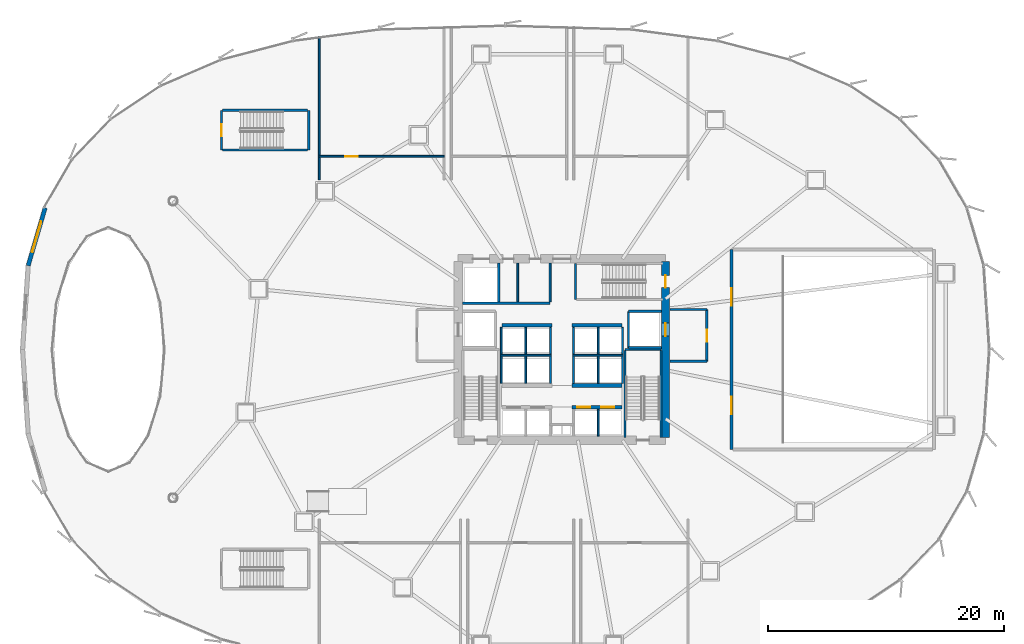
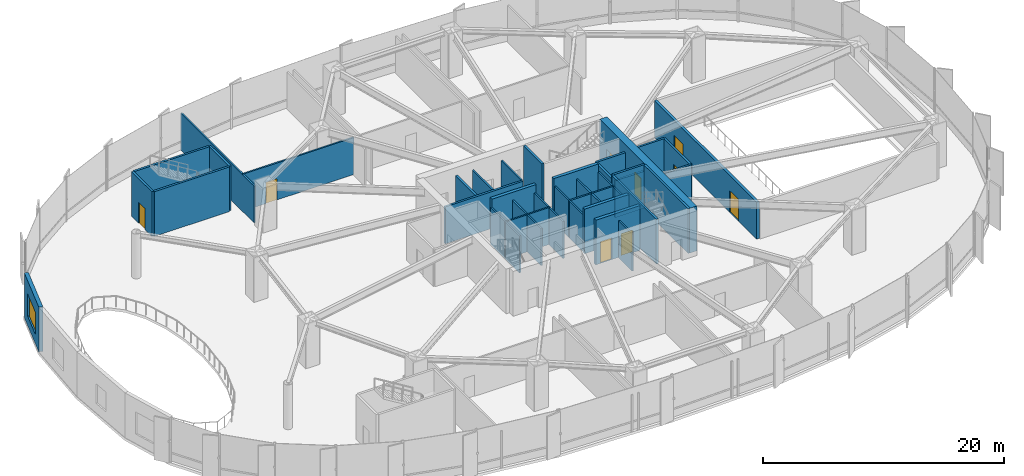
# One storey, part 25 of 34: 42 walls, 9 doors, 1 window, 10 openings.
"""IFC4 building model written with IfcOpenShell, lengths in metres."""

import ifcopenshell
import ifcopenshell.guid

model = None  # the IFC model being written
_history = None  # IfcOwnerHistory: only IFC2X3 demands one
_inside = {}  # id of a spatial element -> (the spatial element, [elements in it])
_under = {}  # id of a project, library or spatial element -> (it, [spatial elements below it])
_declared = {}  # id of a project -> (the project, [libraries it declares])
_typed = {}  # id of a type object -> (the type object, [elements of that type])
_made_of = {}  # id of a material, layer set ... -> (it, [elements and type objects made of it])


def new_model(schema):
    """Start an empty IFC model of exactly this schema.

    Asked for "IFC4X3", IfcOpenShell would pick the latest addendum, in which some entities
    have other attributes; the version numbers below select the first issue.
    IFC2X3 requires an IfcOwnerHistory on every rooted entity: one is made here for all.
    """
    global model, _history
    if schema == "IFC4X3":
        model = ifcopenshell.file(schema_version=(4, 3, 0, 0))
    else:
        model = ifcopenshell.file(schema=schema)
    _inside.clear()
    _under.clear()
    _declared.clear()
    _typed.clear()
    _made_of.clear()
    _history = None
    if model.schema == "IFC2X3":
        org = make("IfcOrganization", Name="unknown")
        user = make(
            "IfcPersonAndOrganization",
            ThePerson=make("IfcPerson", FamilyName="unknown"),
            TheOrganization=org,
        )
        app = make(
            "IfcApplication",
            ApplicationDeveloper=org,
            Version="unknown",
            ApplicationFullName="unknown",
            ApplicationIdentifier="unknown",
        )
        _history = make(
            "IfcOwnerHistory",
            OwningUser=user,
            OwningApplication=app,
            ChangeAction="ADDED",
            CreationDate=0,
        )
    return model


def make(cls, **values):
    """One entity of the class cls with the attributes given. An attribute that is None is left unset."""
    return model.create_entity(
        cls, **{name: value for name, value in values.items() if value is not None}
    )


def rooted(cls, **values):
    """An entity with a GlobalId (a new one), such as an element, a storey or a relation."""
    return make(cls, GlobalId=ifcopenshell.guid.new(), OwnerHistory=_history, **values)


def si_unit(unit_type, name, prefix=None):
    """IfcSIUnit, for example si_unit("LENGTHUNIT", "METRE", prefix="MILLI")."""
    return make("IfcSIUnit", UnitType=unit_type, Prefix=prefix, Name=name)


def assignment(units):
    """IfcUnitAssignment: the units of a project."""
    return None if units is None else make("IfcUnitAssignment", Units=units)


def point(xyz):
    """IfcCartesianPoint."""
    return None if xyz is None else make("IfcCartesianPoint", Coordinates=xyz)


def direction(xyz):
    """IfcDirection."""
    return None if xyz is None else make("IfcDirection", DirectionRatios=xyz)


def frame(location, z_axis=None, x_axis=None):
    """IfcAxis2Placement3D, a coordinate frame: its origin and axes. An axis left out is left unset."""
    return make(
        "IfcAxis2Placement3D",
        Location=point(location),
        Axis=direction(z_axis),
        RefDirection=direction(x_axis),
    )


def frame_2d(location, x_axis=None):
    """IfcAxis2Placement2D, a coordinate frame in the plane: its origin and x axis."""
    return make(
        "IfcAxis2Placement2D", Location=point(location), RefDirection=direction(x_axis)
    )


def origin():
    """The frame at (0, 0, 0) with its axes left unset."""
    return frame((0.0, 0.0, 0.0))


def place(relative_to, where):
    """IfcLocalPlacement: puts the frame where relative to a parent placement (None: the world)."""
    return make(
        "IfcLocalPlacement", PlacementRelTo=relative_to, RelativePlacement=where
    )


def context(
    kind, dimensions, precision=None, world=None, true_north=None, identifier=None
):
    """IfcGeometricRepresentationContext, for example the 3D "Model" context."""
    return make(
        "IfcGeometricRepresentationContext",
        ContextIdentifier=identifier,
        ContextType=kind,
        CoordinateSpaceDimension=dimensions,
        Precision=precision,
        WorldCoordinateSystem=world,
        TrueNorth=true_north,
    )


def subcontext(parent, identifier, kind, view, scale=None):
    """IfcGeometricRepresentationSubContext, for example "Body" below "Model"."""
    return make(
        "IfcGeometricRepresentationSubContext",
        ContextIdentifier=identifier,
        ContextType=kind,
        ParentContext=parent,
        TargetScale=scale,
        TargetView=view,
    )


def project(units=None, contexts=None):
    """IfcProject with its units and contexts."""
    return rooted(
        "IfcProject",
        Name="project",
        RepresentationContexts=contexts,
        UnitsInContext=assignment(units),
    )


def spatial(cls, under=None, at=None, **own):
    """A site, building, storey or space (cls), placed at a placement, below another one or the project."""
    s = rooted(cls, ObjectPlacement=at, **own)
    if under is not None:
        _under.setdefault(under.id(), (under, []))[1].append(s)
    return s


def profile(cls, at=None, kind="AREA", **sizes):
    """A parametric profile (cls). Its sizes go by their IFC names, for example OverallWidth=200.0."""
    return make(cls, ProfileType=kind, Position=at, **sizes)


def rectangle(**sizes):
    """IfcRectangleProfileDef."""
    return profile("IfcRectangleProfileDef", **sizes)


def extrude(swept, where, along, depth):
    """IfcExtrudedAreaSolid: the profile swept, set in the frame where, extruded along a direction by depth."""
    return make(
        "IfcExtrudedAreaSolid",
        SweptArea=swept,
        Position=where,
        ExtrudedDirection=direction(along),
        Depth=depth,
    )


def shape(context_of_items, identifier, shape_type, items):
    """IfcShapeRepresentation: the items that make up one representation, for example the "Body"."""
    return make(
        "IfcShapeRepresentation",
        ContextOfItems=context_of_items,
        RepresentationIdentifier=identifier,
        RepresentationType=shape_type,
        Items=items,
    )


def source(mapping_origin, context_of_items, identifier, shape_type, items):
    """IfcRepresentationMap: a shape defined once, which mapped items show again and again."""
    return make(
        "IfcRepresentationMap",
        MappingOrigin=mapping_origin,
        MappedRepresentation=shape(context_of_items, identifier, shape_type, items),
    )


def transform(
    local_origin,
    x_axis=None,
    y_axis=None,
    z_axis=None,
    scale=None,
    scale2=None,
    scale3=None,
    uniform=True,
):
    """IfcCartesianTransformationOperator3D, or its non-uniform kind. x_axis, y_axis, z_axis: its Axis1, 2, 3."""
    if uniform:
        return make(
            "IfcCartesianTransformationOperator3D",
            Axis1=direction(x_axis),
            Axis2=direction(y_axis),
            LocalOrigin=point(local_origin),
            Scale=scale,
            Axis3=direction(z_axis),
        )
    return make(
        "IfcCartesianTransformationOperator3DnonUniform",
        Axis1=direction(x_axis),
        Axis2=direction(y_axis),
        LocalOrigin=point(local_origin),
        Scale=scale,
        Axis3=direction(z_axis),
        Scale2=scale2,
        Scale3=scale3,
    )


def mapped(mapping_source, mapping_target):
    """IfcMappedItem: shows the shape of a source again, moved by a transform."""
    return make(
        "IfcMappedItem", MappingSource=mapping_source, MappingTarget=mapping_target
    )


def material(Name=None, Category=None):
    """IfcMaterial."""
    return make("IfcMaterial", Name=Name, Category=Category)


def layer(
    of_material, thickness, ventilated=None, Name=None, Category=None, Priority=None
):
    """IfcMaterialLayer: one layer of a wall or slab, of a material (None: an air gap)."""
    return make(
        "IfcMaterialLayer",
        Material=of_material,
        LayerThickness=thickness,
        IsVentilated=ventilated,
        Name=Name,
        Category=Category,
        Priority=Priority,
    )


def layer_set(layers, Name=None):
    """IfcMaterialLayerSet."""
    return make("IfcMaterialLayerSet", MaterialLayers=layers, LayerSetName=Name)


def made_of(thing, what):
    """Note that an element or type object is made of a material, layer set ...; save() writes the relation."""
    if what is not None:
        _made_of.setdefault(what.id(), (what, []))[1].append(thing)
    return thing


def type_object(cls, material=None, **own):
    """A type object (cls), such as IfcWallType, which elements share."""
    return made_of(rooted(cls, **own), material)


def element(
    cls,
    number,
    at=None,
    inside=None,
    cuts=None,
    type_object=None,
    material=None,
    context=None,
    identifier="Body",
    shape_type=None,
    held_by="IfcProductDefinitionShape",
    body=None,
    shapes=None,
    **own,
):
    """One element of the class cls, such as IfcWall. Its Tag is "e" and its number.

    at: its placement. inside: the storey or other place that contains it. cuts: it is an
    opening in that element (IfcRelVoidsElement). A single representation is given by context,
    identifier, shape_type and body (its items); several are given by shapes. held_by: the class
    of the entity that holds the representations. save() writes the other relations.
    """
    e = rooted(cls, Tag="e%d" % number, ObjectPlacement=at, **own)
    if body is not None:
        shapes = [shape(context, identifier, shape_type, body)]
    if shapes is not None:
        e.Representation = make(held_by, Representations=shapes)
    if inside is not None:
        _inside.setdefault(inside.id(), (inside, []))[1].append(e)
    if cuts is not None:
        rooted(
            "IfcRelVoidsElement", RelatingBuildingElement=cuts, RelatedOpeningElement=e
        )
    if type_object is not None:
        _typed.setdefault(type_object.id(), (type_object, []))[1].append(e)
    return made_of(e, material)


def fill(opening, filler):
    """IfcRelFillsElement: the door or window that sits in an opening."""
    return rooted(
        "IfcRelFillsElement",
        RelatingOpeningElement=opening,
        RelatedBuildingElement=filler,
    )


def aggregate(whole, parts):
    """IfcRelAggregates: a whole, such as a stair, and the parts it consists of."""
    return rooted("IfcRelAggregates", RelatingObject=whole, RelatedObjects=parts)


def save(model, path):
    """Write the relations noted so far, then the file.

    IfcRelAggregates (storeys below a building ...), IfcRelContainedInSpatialStructure (elements
    in a storey), IfcRelDefinesByType, IfcRelAssociatesMaterial and IfcRelDeclares: one each for
    every whole, place, type object, material and project.
    """
    for whole, parts in _under.values():
        aggregate(whole, parts)
    for where, things in _inside.values():
        rooted(
            "IfcRelContainedInSpatialStructure",
            RelatedElements=things,
            RelatingStructure=where,
        )
    for kind, things in _typed.values():
        rooted("IfcRelDefinesByType", RelatedObjects=things, RelatingType=kind)
    for what, things in _made_of.values():
        rooted("IfcRelAssociatesMaterial", RelatedObjects=things, RelatingMaterial=what)
    for by, libraries in _declared.values():
        rooted("IfcRelDeclares", RelatingContext=by, RelatedDefinitions=libraries)
    model.write(path)


model = new_model("IFC4")

# Units and contexts
model_context = context("Model", 3, precision=1e-05, world=origin(), true_north=direction((0.0, 1.0)))
body_context = subcontext(model_context, "Body", "Model", "MODEL_VIEW")
ifc_project = project(units=[si_unit("LENGTHUNIT", "METRE"), si_unit("AREAUNIT", "SQUARE_METRE"), si_unit("VOLUMEUNIT", "CUBIC_METRE"), si_unit("PLANEANGLEUNIT", "RADIAN"), si_unit("MASSUNIT", "GRAM", prefix="KILO"), si_unit("THERMODYNAMICTEMPERATUREUNIT", "KELVIN")], contexts=[model_context])

# Site, building, storey
site_placement = place(None, origin())
site = spatial("IfcSite", under=ifc_project, at=site_placement, CompositionType="ELEMENT")
building_placement = place(site_placement, origin())
building = spatial("IfcBuilding", under=site, at=building_placement, Name="Kethvar Cultural Tower", CompositionType="ELEMENT")
storey_placement = place(building_placement, frame((0.0, 0.0, 14.800048828125)))
storey = spatial("IfcBuildingStorey", under=building, at=storey_placement, Name="L03", CompositionType="ELEMENT", Elevation=14.800048828125)

# Wall, openings, doors
ifc_material_1 = material(Name="Concrete C60/75", Category="concrete")
ifc_layer_1 = layer(ifc_material_1, 0.699951171875, Name="Concrete C60/75", Category="concrete")
ifc_layer_set_1 = layer_set([ifc_layer_1], Name="Concrete C60/75 (700 mm)")
wall_type_1 = type_object("IfcWallType", Name="WL-CORE-700", PredefinedType="SHEAR", material=ifc_layer_set_1)
wall_1_placement = place(storey_placement, frame((55.60009765625, 20.340087890625, 0.0), z_axis=(0.0, 0.0, 1.0), x_axis=(0.0, 1.0, 0.0)))
wall_1 = element("IfcWall", 1, at=wall_1_placement, inside=storey, type_object=wall_type_1, Name="L03 Core Shear Wall E", PredefinedType="SHEAR", context=body_context, shape_type="SweptSolid", body=[
    extrude(rectangle(XDim=14.919921875, YDim=0.699951171875, at=frame_2d((7.4599609375, 0.0))), origin(), (0.0, 0.0, 1.0), 4.530029296875),
])
opening_1_placement = place(wall_1_placement, frame((12.7099609375, 0.0, 0.0)))
opening_1 = element("IfcOpeningElement", 2, at=opening_1_placement, cuts=wall_1, Name="Opening D-L03-S3", PredefinedType="OPENING", context=body_context, shape_type="SweptSolid", body=[
    extrude(rectangle(XDim=1.050048828125, YDim=2.14990234375, at=frame_2d((0.52490234375, 1.074951171875))), frame((0.0, 0.35986328125, 0.0), z_axis=(0.0, -1.0, 0.0), x_axis=(1.0, 0.0, 0.0)), (0.0, 0.0, 1.0), 0.719970703125),
])
opening_2_placement = place(wall_1_placement, frame((8.610107421875, 0.0, 0.0)))
opening_2 = element("IfcOpeningElement", 3, at=opening_2_placement, cuts=wall_1, Name="Opening LD-2", PredefinedType="OPENING", context=body_context, shape_type="SweptSolid", body=[
    extrude(rectangle(XDim=1.10009765625, YDim=2.199951171875, at=frame_2d((0.550048828125, 1.10009765625))), frame((0.0, 0.35986328125, 0.0), z_axis=(0.0, -1.0, 0.0), x_axis=(1.0, 0.0, 0.0)), (0.0, 0.0, 1.0), 0.719970703125),
])
ifc_material_2 = material(Name="Steel S355J2", Category="steel")
door_type_1 = type_object("IfcDoorType", Name="DR-FD60-1050", OperationType="NOTDEFINED", PredefinedType="DOOR", material=ifc_material_2)
shared_shape_1 = source(origin(), body_context, "Body", "SweptSolid", [
    extrude(rectangle(XDim=1.050048828125, YDim=2.14990234375, at=frame_2d((0.52490234375, 1.074951171875))), frame((0.0, 0.02490234375, 0.0), z_axis=(0.0, -1.0, 0.0), x_axis=(1.0, 0.0, 0.0)), (0.0, 0.0, 1.0), 0.050048828125),
])
door_1_placement = place(opening_1_placement, origin())
door_1 = element("IfcDoor", 4, at=door_1_placement, inside=storey, type_object=door_type_1, Name="L03 Exit Stair 3 Door", OperationType="SINGLE_SWING_LEFT", OverallHeight=2.14990234375, OverallWidth=1.050048828125, PredefinedType="DOOR", context=body_context, shape_type="MappedRepresentation", body=[
    mapped(shared_shape_1, transform((0.0, 0.0, 0.0), scale=1.0)),
])
fill(opening_1, door_1)
door_type_2 = type_object("IfcDoorType", Name="DR-LIFT-SLIDE-1100", OperationType="NOTDEFINED", PredefinedType="DOOR", material=ifc_material_2)
shared_shape_2 = source(origin(), body_context, "Body", "SweptSolid", [
    extrude(rectangle(XDim=1.10009765625, YDim=2.199951171875, at=frame_2d((0.550048828125, 1.10009765625))), frame((0.0, 0.02490234375, 0.0), z_axis=(0.0, -1.0, 0.0), x_axis=(1.0, 0.0, 0.0)), (0.0, 0.0, 1.0), 0.050048828125),
])
door_2_placement = place(opening_2_placement, origin())
door_2 = element("IfcDoor", 5, at=door_2_placement, inside=storey, type_object=door_type_2, Name="L03 Firefighting Lift Landing Door FFL-02", OperationType="SLIDING_TO_RIGHT", OverallHeight=2.199951171875, OverallWidth=1.10009765625, PredefinedType="DOOR", context=body_context, shape_type="MappedRepresentation", body=[
    mapped(shared_shape_2, transform((0.0, 0.0, 0.0), scale=1.0)),
])
fill(opening_2, door_2)

# Wall, opening, window
ifc_material_3 = material(Name="Concrete C40/50", Category="concrete")
ifc_layer_2 = layer(ifc_material_3, 0.35009765625, Name="Concrete C40/50", Category="concrete")
ifc_layer_set_2 = layer_set([ifc_layer_2], Name="Concrete C40/50 (350 mm)")
wall_type_2 = type_object("IfcWallType", Name="WL-EXT-PORTAL-350", PredefinedType="SOLIDWALL", material=ifc_layer_set_2)
wall_2_placement = place(storey_placement, frame((1.493408203125, 34.91650390625, 0.0), z_axis=(0.0, 0.0, 1.0), x_axis=(0.281735210535, 0.959492194416, 0.0)))
wall_2 = element("IfcWall", 6, at=wall_2_placement, inside=storey, type_object=wall_type_2, Name="L03 Exterior Portal Wall 17", PredefinedType="SOLIDWALL", context=body_context, shape_type="SweptSolid", body=[
    extrude(rectangle(XDim=5.12060546875, YDim=0.35009765625, at=frame_2d((2.560302734375, 0.0))), origin(), (0.0, 0.0, 1.0), 4.530029296875),
])
opening_3_placement = place(wall_2_placement, frame((1.210205078125, 0.0, 0.949951171875)))
opening_3 = element("IfcOpeningElement", 7, at=opening_3_placement, cuts=wall_2, Name="Opening W-01", PredefinedType="OPENING", context=body_context, shape_type="SweptSolid", body=[
    extrude(rectangle(XDim=2.699951171875, YDim=2.25, at=frame_2d((1.35009765625, 1.125))), frame((0.0, 0.18505859375, 0.0), z_axis=(0.0, -1.0, 0.0), x_axis=(1.0, 0.0, 0.0)), (0.0, 0.0, 1.0), 0.3701171875),
])
ifc_material_4 = material(Name="Insulated Low-E Solar Glass", Category="glass")
window_type = type_object("IfcWindowType", Name="WN-POD-2700", PartitioningType="SINGLE_PANEL", PredefinedType="WINDOW", material=ifc_material_4)
shared_shape_3 = source(origin(), body_context, "Body", "SweptSolid", [
    extrude(rectangle(XDim=2.699951171875, YDim=2.25, at=frame_2d((1.35009765625, 1.125))), frame((0.0, 0.030029296875, 0.0), z_axis=(0.0, -1.0, 0.0), x_axis=(1.0, 0.0, 0.0)), (0.0, 0.0, 1.0), 0.06005859375),
])
window_placement = place(opening_3_placement, origin())
window = element("IfcWindow", 8, at=window_placement, inside=storey, type_object=window_type, Name="L03 Podium Window C16", OverallHeight=2.25, OverallWidth=2.699951171875, PartitioningType="SINGLE_PANEL", PredefinedType="WINDOW", context=body_context, shape_type="MappedRepresentation", body=[
    mapped(shared_shape_3, transform((0.0, 0.0, 0.0), scale=1.0)),
])
fill(opening_3, window)

# Walls
ifc_material_5 = material(Name="Gypsum Fireboard Partition")
ifc_layer_3 = layer(ifc_material_5, 0.14990234375, Name="Gypsum Fireboard Partition")
ifc_layer_set_3 = layer_set([ifc_layer_3], Name="Gypsum Fireboard Partition (150 mm)")
wall_type_3 = type_object("IfcWallType", Name="WL-FIRE-150", PredefinedType="PARTITIONING", material=ifc_layer_set_3)
wall_3_placement = place(storey_placement, frame((49.875, 20.4599609375, 0.0), z_axis=(0.0, 0.0, 1.0), x_axis=(0.0, 1.0, 0.0)))
element("IfcWall", 9, at=wall_3_placement, inside=storey, type_object=wall_type_3, Name="L03 Low-Rise Lift Shaft Divider E", PredefinedType="PARTITIONING", context=body_context, shape_type="SweptSolid", body=[
    extrude(rectangle(XDim=2.27001953125, YDim=0.14990234375, at=frame_2d((1.135009765625, 0.0))), origin(), (0.0, 0.0, 1.0), 3.742919921875),
])
wall_4_placement = place(storey_placement, frame((41.580078125, 27.324951171875, 0.0), z_axis=(0.0, 0.0, 1.0), x_axis=(1.0, 0.0, 0.0)))
element("IfcWall", 10, at=wall_4_placement, inside=storey, type_object=wall_type_3, Name="L03 Mid-High Lift Shaft Back Wall W", PredefinedType="PARTITIONING", context=body_context, shape_type="SweptSolid", body=[
    extrude(rectangle(XDim=4.31982421875, YDim=0.14990234375, at=frame_2d((2.159912109375, 0.0))), origin(), (0.0, 0.0, 1.0), 3.742919921875),
])
wall_5_placement = place(storey_placement, frame((47.699951171875, 27.324951171875, 0.0), z_axis=(0.0, 0.0, 1.0), x_axis=(1.0, 0.0, 0.0)))
element("IfcWall", 11, at=wall_5_placement, inside=storey, type_object=wall_type_3, Name="L03 Mid-High Lift Shaft Back Wall E", PredefinedType="PARTITIONING", context=body_context, shape_type="SweptSolid", body=[
    extrude(rectangle(XDim=4.320068359375, YDim=0.14990234375, at=frame_2d((2.16015625, 0.0))), origin(), (0.0, 0.0, 1.0), 3.742919921875),
])
for number, where, z_axis, x_axis, name in (
    (12, (41.64990234375, 24.919921875, 0.0), (0.0, 0.0, 1.0), (0.0, 1.0, 0.0), "L03 Mid-Rise Lift Shaft Outer Wall W"),
    (13, (43.72509765625, 24.919921875, 0.0), (0.0, 0.0, 1.0), (0.0, 1.0, 0.0), "L03 Mid-Rise Lift Shaft Divider W"),
    (14, (45.824951171875, 24.919921875, 0.0), (0.0, 0.0, 1.0), (0.0, 1.0, 0.0), "L03 Mid-Rise Lift Shaft Concourse Wall W"),
    (15, (47.77490234375, 24.919921875, 0.0), (0.0, 0.0, 1.0), (0.0, 1.0, 0.0), "L03 Mid-Rise Lift Shaft Concourse Wall E"),
    (16, (49.875, 24.919921875, 0.0), (0.0, 0.0, 1.0), (0.0, 1.0, 0.0), "L03 Mid-Rise Lift Shaft Divider E"),
    (17, (51.949951171875, 24.919921875, 0.0), (0.0, 0.0, 1.0), (0.0, 1.0, 0.0), "L03 Mid-Rise Lift Shaft Outer Wall E"),
):
    element("IfcWall", number, at=place(storey_placement, frame(where, z_axis=z_axis, x_axis=x_axis)), inside=storey, type_object=wall_type_3, Name=name, PredefinedType="PARTITIONING", context=body_context, shape_type="SweptSolid", body=[
        extrude(rectangle(XDim=2.320068359375, YDim=0.14990234375, at=frame_2d((1.16015625, 0.0))), origin(), (0.0, 0.0, 1.0), 3.742919921875),
    ])
for number, where, z_axis, x_axis, name in (
    (18, (41.64990234375, 27.409912109375, 0.0), (0.0, 0.0, 1.0), (0.0, 1.0, 0.0), "L03 High-Rise Lift Shaft Outer Wall W"),
    (19, (43.72509765625, 27.409912109375, 0.0), (0.0, 0.0, 1.0), (0.0, 1.0, 0.0), "L03 High-Rise Lift Shaft Divider W"),
    (20, (45.824951171875, 27.409912109375, 0.0), (0.0, 0.0, 1.0), (0.0, 1.0, 0.0), "L03 High-Rise Lift Shaft Concourse Wall W"),
    (21, (47.77490234375, 27.409912109375, 0.0), (0.0, 0.0, 1.0), (0.0, 1.0, 0.0), "L03 High-Rise Lift Shaft Concourse Wall E"),
    (22, (49.875, 27.409912109375, 0.0), (0.0, 0.0, 1.0), (0.0, 1.0, 0.0), "L03 High-Rise Lift Shaft Divider E"),
    (23, (51.949951171875, 27.409912109375, 0.0), (0.0, 0.0, 1.0), (0.0, 1.0, 0.0), "L03 High-Rise Lift Shaft Outer Wall E"),
):
    element("IfcWall", number, at=place(storey_placement, frame(where, z_axis=z_axis, x_axis=x_axis)), inside=storey, type_object=wall_type_3, Name=name, PredefinedType="PARTITIONING", context=body_context, shape_type="SweptSolid", body=[
        extrude(rectangle(XDim=2.27001953125, YDim=0.14990234375, at=frame_2d((1.135009765625, 0.0))), origin(), (0.0, 0.0, 1.0), 3.742919921875),
    ])
wall_6_placement = place(storey_placement, frame((45.800048828125, 31.85009765625, 0.0), z_axis=(0.0, 0.0, 1.0), x_axis=(0.0, 1.0, 0.0)))
element("IfcWall", 24, at=wall_6_placement, inside=storey, type_object=wall_type_3, Name="L03 Sanitary Spine Wall", PredefinedType="PARTITIONING", context=body_context, shape_type="SweptSolid", body=[
    extrude(rectangle(XDim=3.289794921875, YDim=0.14990234375, at=frame_2d((1.64501953125, 0.0))), origin(), (0.0, 0.0, 1.0), 3.742919921875),
])

# Wall, opening, door
wall_7_placement = place(storey_placement, frame((26.199951171875, 44.199951171875, 0.0), z_axis=(0.0, 0.0, 1.0), x_axis=(1.0, 0.0, 0.0)))
wall_7 = element("IfcWall", 25, at=wall_7_placement, inside=storey, type_object=wall_type_3, Name="L03 Upper Atrium Tea Pantry Wall", PredefinedType="PARTITIONING", context=body_context, shape_type="SweptSolid", body=[
    extrude(rectangle(XDim=10.60009765625, YDim=0.14990234375, at=frame_2d((5.300048828125, 0.0))), origin(), (0.0, 0.0, 1.0), 3.742919921875),
])
opening_4_placement = place(wall_7_placement, frame((2.199951171875, 0.0, 0.0)))
opening_4 = element("IfcOpeningElement", 26, at=opening_4_placement, cuts=wall_7, Name="Opening D-L03-P4", PredefinedType="OPENING", context=body_context, shape_type="SweptSolid", body=[
    extrude(rectangle(XDim=1.050048828125, YDim=2.14990234375, at=frame_2d((0.52490234375, 1.074951171875))), frame((0.0, 0.0849609375, 0.0), z_axis=(0.0, -1.0, 0.0), x_axis=(1.0, 0.0, 0.0)), (0.0, 0.0, 1.0), 0.169921875),
])
door_3_placement = place(opening_4_placement, origin())
door_3 = element("IfcDoor", 27, at=door_3_placement, inside=storey, type_object=door_type_1, Name="L03 Upper Atrium Tea Pantry Door", OperationType="SINGLE_SWING_LEFT", OverallHeight=2.14990234375, OverallWidth=1.050048828125, PredefinedType="DOOR", context=body_context, shape_type="MappedRepresentation", body=[
    mapped(shared_shape_1, transform((0.0, 0.0, 0.0), scale=1.0)),
])
fill(opening_4, door_3)

# Walls
ifc_layer_4 = layer(ifc_material_3, 0.199951171875, Name="Concrete C40/50", Category="concrete")
ifc_layer_set_4 = layer_set([ifc_layer_4], Name="Concrete C40/50 (200 mm)")
wall_type_4 = type_object("IfcWallType", Name="WL-FIRE-200", PredefinedType="PARTITIONING", material=ifc_layer_set_4)
wall_8_placement = place(storey_placement, frame((52.449951171875, 27.949951171875, 0.0), z_axis=(0.0, 0.0, 1.0), x_axis=(0.0, 1.0, 0.0)))
element("IfcWall", 28, at=wall_8_placement, inside=storey, type_object=wall_type_4, Name="L03 FFL-02 Shaft Inner Wall", PredefinedType="PARTITIONING", context=body_context, shape_type="SweptSolid", body=[
    extrude(rectangle(XDim=3.10009765625, YDim=0.199951171875, at=frame_2d((1.550048828125, 0.0))), origin(), (0.0, 0.0, 1.0), 3.742919921875),
])
for number, where, z_axis, x_axis, name in (
    (29, (52.449951171875, 27.949951171875, 0.0), (0.0, 0.0, 1.0), (1.0, 0.0, 0.0), "L03 FFL-02 Shaft South Wall"),
    (30, (52.449951171875, 31.050048828125, 0.0), (0.0, 0.0, 1.0), (1.0, 0.0, 0.0), "L03 FFL-02 Shaft North Wall"),
):
    element("IfcWall", number, at=place(storey_placement, frame(where, z_axis=z_axis, x_axis=x_axis)), inside=storey, type_object=wall_type_4, Name=name, PredefinedType="PARTITIONING", context=body_context, shape_type="SweptSolid", body=[
        extrude(rectangle(XDim=2.7900390625, YDim=0.199951171875, at=frame_2d((1.39501953125, 0.0))), origin(), (0.0, 0.0, 1.0), 3.742919921875),
    ])

# Wall, opening, door
wall_9_placement = place(storey_placement, frame((59.10009765625, 26.800048828125, 0.0), z_axis=(0.0, 0.0, 1.0), x_axis=(0.0, 1.0, 0.0)))
wall_9 = element("IfcWall", 31, at=wall_9_placement, inside=storey, type_object=wall_type_4, Name="L03 Firefighting Lobby 2 Wall", PredefinedType="PARTITIONING", context=body_context, shape_type="SweptSolid", body=[
    extrude(rectangle(XDim=4.39990234375, YDim=0.199951171875, at=frame_2d((2.199951171875, 0.0))), origin(), (0.0, 0.0, 1.0), 3.742919921875),
])
opening_5_placement = place(wall_9_placement, frame((1.64990234375, 0.0, 0.0)))
opening_5 = element("IfcOpeningElement", 32, at=opening_5_placement, cuts=wall_9, Name="Opening D-L03-F2", PredefinedType="OPENING", context=body_context, shape_type="SweptSolid", body=[
    extrude(rectangle(XDim=1.050048828125, YDim=2.14990234375, at=frame_2d((0.52490234375, 1.074951171875))), frame((0.0, 0.10986328125, 0.0), z_axis=(0.0, -1.0, 0.0), x_axis=(1.0, 0.0, 0.0)), (0.0, 0.0, 1.0), 0.219970703125),
])
door_4_placement = place(opening_5_placement, origin())
door_4 = element("IfcDoor", 33, at=door_4_placement, inside=storey, type_object=door_type_1, Name="L03 Firefighting Lobby 2 Fire Door", OperationType="SINGLE_SWING_LEFT", OverallHeight=2.14990234375, OverallWidth=1.050048828125, PredefinedType="DOOR", context=body_context, shape_type="MappedRepresentation", body=[
    mapped(shared_shape_1, transform((0.0, 0.0, 0.0), scale=1.0)),
])
fill(opening_5, door_4)

# Walls
for number, where, z_axis, x_axis, name in (
    (34, (55.9599609375, 26.800048828125, 0.0), (0.0, 0.0, 1.0), (1.0, 0.0, 0.0), "L03 FF Lobby 2 South Wall"),
    (35, (55.9599609375, 31.199951171875, 0.0), (0.0, 0.0, 1.0), (1.0, 0.0, 0.0), "L03 FF Lobby 2 North Wall"),
):
    element("IfcWall", number, at=place(storey_placement, frame(where, z_axis=z_axis, x_axis=x_axis)), inside=storey, type_object=wall_type_4, Name=name, PredefinedType="PARTITIONING", context=body_context, shape_type="SweptSolid", body=[
        extrude(rectangle(XDim=3.14013671875, YDim=0.199951171875, at=frame_2d((1.570068359375, 0.0))), origin(), (0.0, 0.0, 1.0), 3.742919921875),
    ])
wall_10_placement = place(storey_placement, frame((41.449951171875, 31.85009765625, 0.0), z_axis=(0.0, 0.0, 1.0), x_axis=(0.0, 1.0, 0.0)))
element("IfcWall", 36, at=wall_10_placement, inside=storey, type_object=wall_type_4, Name="L03 NW Core Pocket Wall", PredefinedType="PARTITIONING", context=body_context, shape_type="SweptSolid", body=[
    extrude(rectangle(XDim=3.289794921875, YDim=0.199951171875, at=frame_2d((1.64501953125, 0.0))), origin(), (0.0, 0.0, 1.0), 3.742919921875),
])
wall_11_placement = place(storey_placement, frame((38.360107421875, 31.72998046875, 0.0), z_axis=(0.0, 0.0, 1.0), x_axis=(1.0, 0.0, 0.0)))
element("IfcWall", 37, at=wall_11_placement, inside=storey, type_object=wall_type_4, Name="L03 North Core Sanitary South Wall", PredefinedType="PARTITIONING", context=body_context, shape_type="SweptSolid", body=[
    extrude(rectangle(XDim=7.43994140625, YDim=0.199951171875, at=frame_2d((3.719970703125, 0.0))), origin(), (0.0, 0.0, 1.0), 3.742919921875),
])
ifc_material_6 = material(Name="Gypsum Acoustic Partition")
ifc_layer_5 = layer(ifc_material_6, 0.14990234375, Name="Gypsum Acoustic Partition")
ifc_layer_set_5 = layer_set([ifc_layer_5], Name="Gypsum Acoustic Partition (150 mm)")
wall_type_5 = type_object("IfcWallType", Name="WL-PART-150", PredefinedType="PARTITIONING", material=ifc_layer_set_5)
wall_12_placement = place(storey_placement, frame((26.199951171875, 42.199951171875, 0.0), z_axis=(0.0, 0.0, 1.0), x_axis=(0.0, 1.0, 0.0)))
element("IfcWall", 38, at=wall_12_placement, inside=storey, type_object=wall_type_5, Name="L03 Upper Atrium Tea Pantry Side Wall L", PredefinedType="PARTITIONING", context=body_context, shape_type="SweptSolid", body=[
    extrude(rectangle(XDim=12.20703125, YDim=0.14990234375, at=frame_2d((6.103515625, 0.0))), origin(), (0.0, 0.0, 1.0), 3.742919921875),
])
ifc_material_7 = material(Name="Moisture-Resistant Sanitary Chase Wall")
ifc_layer_6 = layer(ifc_material_7, 0.14990234375, Name="Moisture-Resistant Sanitary Chase Wall")
ifc_layer_set_6 = layer_set([ifc_layer_6], Name="Moisture-Resistant Sanitary Chase Wall (150 mm)")
wall_type_6 = type_object("IfcWallType", Name="WL-PLUMB-150", PredefinedType="PLUMBINGWALL", material=ifc_layer_set_6)
wall_13_placement = place(storey_placement, frame((43.050048828125, 31.85009765625, 0.0), z_axis=(0.0, 0.0, 1.0), x_axis=(0.0, 1.0, 0.0)))
element("IfcWall", 39, at=wall_13_placement, inside=storey, type_object=wall_type_6, Name="L03 Sanitary Plumbing Wall", PredefinedType="PLUMBINGWALL", context=body_context, shape_type="SweptSolid", body=[
    extrude(rectangle(XDim=3.289794921875, YDim=0.14990234375, at=frame_2d((1.64501953125, 0.0))), origin(), (0.0, 0.0, 1.0), 3.742919921875),
])

# Wall, openings, doors
ifc_material_8 = material(Name="Concrete C50/60", Category="concrete")
ifc_layer_7 = layer(ifc_material_8, 0.300048828125, Name="Concrete C50/60", Category="concrete")
ifc_layer_set_7 = layer_set([ifc_layer_7], Name="Concrete C50/60 (300 mm)")
wall_type_7 = type_object("IfcWallType", Name="WL-SHAFT-300", PredefinedType="SHEAR", material=ifc_layer_set_7)
wall_14_placement = place(storey_placement, frame((47.64990234375, 22.89990234375, 0.0), z_axis=(0.0, 0.0, 1.0), x_axis=(1.0, 0.0, 0.0)))
wall_14 = element("IfcWall", 40, at=wall_14_placement, inside=storey, type_object=wall_type_7, Name="L03 Core Lift Spine Wall MID1E", PredefinedType="SHEAR", context=body_context, shape_type="SweptSolid", body=[
    extrude(rectangle(XDim=4.25, YDim=0.300048828125, at=frame_2d((2.125, 0.0))), origin(), (0.0, 0.0, 1.0), 4.530029296875),
])
opening_6_placement = place(wall_14_placement, frame((0.449951171875, 0.0, 0.0)))
opening_6 = element("IfcOpeningElement", 41, at=opening_6_placement, cuts=wall_14, Name="Opening LD-L3", PredefinedType="OPENING", context=body_context, shape_type="SweptSolid", body=[
    extrude(rectangle(XDim=1.10009765625, YDim=2.199951171875, at=frame_2d((0.550048828125, 1.10009765625))), frame((0.0, 0.159912109375, 0.0), z_axis=(0.0, -1.0, 0.0), x_axis=(1.0, 0.0, 0.0)), (0.0, 0.0, 1.0), 0.320068359375),
])
opening_7_placement = place(wall_14_placement, frame((2.5, 0.0, 0.0)))
opening_7 = element("IfcOpeningElement", 42, at=opening_7_placement, cuts=wall_14, Name="Opening LD-L4", PredefinedType="OPENING", context=body_context, shape_type="SweptSolid", body=[
    extrude(rectangle(XDim=1.10009765625, YDim=2.199951171875, at=frame_2d((0.550048828125, 1.10009765625))), frame((0.0, 0.159912109375, 0.0), z_axis=(0.0, -1.0, 0.0), x_axis=(1.0, 0.0, 0.0)), (0.0, 0.0, 1.0), 0.320068359375),
])
door_5_placement = place(opening_6_placement, origin())
door_5 = element("IfcDoor", 43, at=door_5_placement, inside=storey, type_object=door_type_2, Name="L03 Low-Rise Lift Landing Door L3", OperationType="SLIDING_TO_LEFT", OverallHeight=2.199951171875, OverallWidth=1.10009765625, PredefinedType="DOOR", context=body_context, shape_type="MappedRepresentation", body=[
    mapped(shared_shape_2, transform((0.0, 0.0, 0.0), scale=1.0)),
])
fill(opening_6, door_5)
door_6_placement = place(opening_7_placement, origin())
door_6 = element("IfcDoor", 44, at=door_6_placement, inside=storey, type_object=door_type_2, Name="L03 Low-Rise Lift Landing Door L4", OperationType="SLIDING_TO_LEFT", OverallHeight=2.199951171875, OverallWidth=1.10009765625, PredefinedType="DOOR", context=body_context, shape_type="MappedRepresentation", body=[
    mapped(shared_shape_2, transform((0.0, 0.0, 0.0), scale=1.0)),
])
fill(opening_7, door_6)

# Walls
for number, where, z_axis, x_axis, name in (
    (45, (47.64990234375, 24.75, 0.0), (0.0, 0.0, 1.0), (1.0, 0.0, 0.0), "L03 Core Lift Spine Wall MID2E"),
    (46, (41.699951171875, 29.85009765625, 0.0), (0.0, 0.0, 1.0), (1.0, 0.0, 0.0), "L03 Core Lift Spine Wall MID3W"),
    (47, (47.64990234375, 29.85009765625, 0.0), (0.0, 0.0, 1.0), (1.0, 0.0, 0.0), "L03 Core Lift Spine Wall MID3E"),
):
    element("IfcWall", number, at=place(storey_placement, frame(where, z_axis=z_axis, x_axis=x_axis)), inside=storey, type_object=wall_type_7, Name=name, PredefinedType="SHEAR", context=body_context, shape_type="SweptSolid", body=[
        extrude(rectangle(XDim=4.25, YDim=0.300048828125, at=frame_2d((2.125, 0.0))), origin(), (0.0, 0.0, 1.0), 4.530029296875),
    ])

# Wall, openings, doors
ifc_layer_8 = layer(ifc_material_3, 0.25, Name="Concrete C40/50", Category="concrete")
ifc_layer_set_8 = layer_set([ifc_layer_8], Name="Concrete C40/50 (250 mm)")
wall_type_8 = type_object("IfcWallType", Name="WL-SOLID-250", PredefinedType="SOLIDWALL", material=ifc_layer_set_8)
wall_15_placement = place(storey_placement, frame((61.199951171875, 19.300048828125, 0.0), z_axis=(0.0, 0.0, 1.0), x_axis=(0.0, 1.0, 0.0)))
wall_15 = element("IfcWall", 48, at=wall_15_placement, inside=storey, type_object=wall_type_8, Name="L03 Auditorium West Wall", PredefinedType="SOLIDWALL", context=body_context, shape_type="SweptSolid", body=[
    extrude(rectangle(XDim=17.0, YDim=0.25, at=frame_2d((8.5, 0.0))), origin(), (0.0, 0.0, 1.0), 3.742919921875),
])
opening_8_placement = place(wall_15_placement, frame((3.0, 0.0, 0.0)))
opening_8 = element("IfcOpeningElement", 49, at=opening_8_placement, cuts=wall_15, Name="Opening D-L03-A1", PredefinedType="OPENING", context=body_context, shape_type="SweptSolid", body=[
    extrude(rectangle(XDim=1.5, YDim=2.199951171875, at=frame_2d((0.75, 1.10009765625))), frame((0.0, 0.135009765625, 0.0), z_axis=(0.0, -1.0, 0.0), x_axis=(1.0, 0.0, 0.0)), (0.0, 0.0, 1.0), 0.27001953125),
])
opening_9_placement = place(wall_15_placement, frame((12.199951171875, 0.0, 0.0)))
opening_9 = element("IfcOpeningElement", 50, at=opening_9_placement, cuts=wall_15, Name="Opening D-L03-A2", PredefinedType="OPENING", context=body_context, shape_type="SweptSolid", body=[
    extrude(rectangle(XDim=1.5, YDim=2.199951171875, at=frame_2d((0.75, 1.10009765625))), frame((0.0, 0.135009765625, 0.0), z_axis=(0.0, -1.0, 0.0), x_axis=(1.0, 0.0, 0.0)), (0.0, 0.0, 1.0), 0.27001953125),
])
ifc_material_9 = material(Name="Architectural Oak Timber", Category="wood")
door_type_3 = type_object("IfcDoorType", Name="DR-DBL-FD60-1500", OperationType="DOUBLE_DOOR_SINGLE_SWING", PredefinedType="DOOR", material=ifc_material_9)
shared_shape_4 = source(origin(), body_context, "Body", "SweptSolid", [
    extrude(rectangle(XDim=1.5, YDim=2.199951171875, at=frame_2d((0.75, 1.10009765625))), frame((0.0, 0.02490234375, 0.0), z_axis=(0.0, -1.0, 0.0), x_axis=(1.0, 0.0, 0.0)), (0.0, 0.0, 1.0), 0.050048828125),
])
door_7_placement = place(opening_8_placement, origin())
door_7 = element("IfcDoor", 51, at=door_7_placement, inside=storey, type_object=door_type_3, Name="L03 Auditorium South Entry Door", OperationType="DOUBLE_DOOR_SINGLE_SWING", OverallHeight=2.199951171875, OverallWidth=1.5, PredefinedType="DOOR", context=body_context, shape_type="MappedRepresentation", body=[
    mapped(shared_shape_4, transform((0.0, 0.0, 0.0), scale=1.0)),
])
fill(opening_8, door_7)
door_8_placement = place(opening_9_placement, origin())
door_8 = element("IfcDoor", 52, at=door_8_placement, inside=storey, type_object=door_type_3, Name="L03 Auditorium North Entry Door", OperationType="DOUBLE_DOOR_SINGLE_SWING", OverallHeight=2.199951171875, OverallWidth=1.5, PredefinedType="DOOR", context=body_context, shape_type="MappedRepresentation", body=[
    mapped(shared_shape_4, transform((0.0, 0.0, 0.0), scale=1.0)),
])
fill(opening_9, door_8)

# Walls
ifc_layer_9 = layer(ifc_material_8, 0.199951171875, Name="Concrete C50/60", Category="concrete")
ifc_layer_set_9 = layer_set([ifc_layer_9], Name="Concrete C50/60 (200 mm)")
wall_type_9 = type_object("IfcWallType", Name="WL-STSHAFT-200", PredefinedType="SHEAR", material=ifc_layer_set_9)
wall_16_placement = place(storey_placement, frame((52.14990234375, 27.800048828125, 0.0), z_axis=(0.0, 0.0, 1.0), x_axis=(1.0, 0.0, 0.0)))
element("IfcWall", 53, at=wall_16_placement, inside=storey, type_object=wall_type_9, Name="L03 ST-02 Stair Shaft Wall FAR", PredefinedType="SHEAR", context=body_context, shape_type="SweptSolid", body=[
    extrude(rectangle(XDim=3.06005859375, YDim=0.199951171875, at=frame_2d((1.530029296875, 0.0))), origin(), (0.0, 0.0, 1.0), 4.530029296875),
])
for number, where, z_axis, x_axis, name in (
    (54, (55.2099609375, 27.699951171875, 0.0), (0.0, 0.0, 1.0), (0.0, -1.0, 0.0), "L03 ST-02 Stair Shaft Wall LEFT"),
    (55, (52.14990234375, 20.35009765625, 0.0), (0.0, 0.0, 1.0), (0.0, 1.0, 0.0), "L03 ST-02 Stair Shaft Wall RIGHT"),
):
    element("IfcWall", number, at=place(storey_placement, frame(where, z_axis=z_axis, x_axis=x_axis)), inside=storey, type_object=wall_type_9, Name=name, PredefinedType="SHEAR", context=body_context, shape_type="SweptSolid", body=[
        extrude(rectangle(XDim=7.349853515625, YDim=0.199951171875, at=frame_2d((3.6748046875, 0.0))), origin(), (0.0, 0.0, 1.0), 4.530029296875),
    ])
wall_17_placement = place(storey_placement, frame((47.949951171875, 32.050048828125, 0.0), z_axis=(0.0, 0.0, 1.0), x_axis=(0.0, 1.0, 0.0)))
element("IfcWall", 56, at=wall_17_placement, inside=storey, type_object=wall_type_9, Name="L03 ST-03 Stair Shaft Wall FAR", PredefinedType="SHEAR", context=body_context, shape_type="SweptSolid", body=[
    extrude(rectangle(XDim=3.06005859375, YDim=0.199951171875, at=frame_2d((1.530029296875, 0.0))), origin(), (0.0, 0.0, 1.0), 4.530029296875),
])

# Wall, opening, door
wall_18_placement = place(storey_placement, frame((17.89990234375, 44.739990234375, 0.0), z_axis=(0.0, 0.0, 1.0), x_axis=(0.0, 1.0, 0.0)))
wall_18 = element("IfcWall", 57, at=wall_18_placement, inside=storey, type_object=wall_type_9, Name="L03 ST-05 Stair Shaft Wall NEAR", PredefinedType="SHEAR", context=body_context, shape_type="SweptSolid", body=[
    extrude(rectangle(XDim=3.360107421875, YDim=0.199951171875, at=frame_2d((1.68017578125, 0.0))), origin(), (0.0, 0.0, 1.0), 4.530029296875),
])
opening_10_placement = place(wall_18_placement, frame((1.155029296875, 0.0, 0.0)))
opening_10 = element("IfcOpeningElement", 58, at=opening_10_placement, cuts=wall_18, Name="Opening D-L03-ST5", PredefinedType="OPENING", context=body_context, shape_type="SweptSolid", body=[
    extrude(rectangle(XDim=1.050048828125, YDim=2.14990234375, at=frame_2d((0.52490234375, 1.074951171875))), frame((0.0, 0.10986328125, 0.0), z_axis=(0.0, -1.0, 0.0), x_axis=(1.0, 0.0, 0.0)), (0.0, 0.0, 1.0), 0.219970703125),
])
door_9_placement = place(opening_10_placement, origin())
door_9 = element("IfcDoor", 59, at=door_9_placement, inside=storey, type_object=door_type_1, Name="L03 ST-05 Stair Landing Fire Door", OperationType="SINGLE_SWING_LEFT", OverallHeight=2.14990234375, OverallWidth=1.050048828125, PredefinedType="DOOR", context=body_context, shape_type="MappedRepresentation", body=[
    mapped(shared_shape_1, transform((0.0, 0.0, 0.0), scale=1.0)),
])
fill(opening_10, door_9)

# Walls
wall_19_placement = place(storey_placement, frame((25.300048828125, 48.10009765625, 0.0), z_axis=(0.0, 0.0, 1.0), x_axis=(0.0, -1.0, 0.0)))
element("IfcWall", 60, at=wall_19_placement, inside=storey, type_object=wall_type_9, Name="L03 ST-05 Stair Shaft Wall FAR", PredefinedType="SHEAR", context=body_context, shape_type="SweptSolid", body=[
    extrude(rectangle(XDim=3.360107421875, YDim=0.199951171875, at=frame_2d((1.68017578125, 0.0))), origin(), (0.0, 0.0, 1.0), 4.530029296875),
])
for number, where, z_axis, x_axis, name in (
    (61, (25.199951171875, 44.739990234375, 0.0), (0.0, 0.0, 1.0), (-1.0, 0.0, 0.0), "L03 ST-05 Stair Shaft Wall LEFT"),
    (62, (18.0, 48.10009765625, 0.0), (0.0, 0.0, 1.0), (1.0, 0.0, 0.0), "L03 ST-05 Stair Shaft Wall RIGHT"),
):
    element("IfcWall", number, at=place(storey_placement, frame(where, z_axis=z_axis, x_axis=x_axis)), inside=storey, type_object=wall_type_9, Name=name, PredefinedType="SHEAR", context=body_context, shape_type="SweptSolid", body=[
        extrude(rectangle(XDim=7.199951171875, YDim=0.199951171875, at=frame_2d((3.60009765625, 0.0))), origin(), (0.0, 0.0, 1.0), 4.530029296875),
    ])

save(model, "model.ifc")
